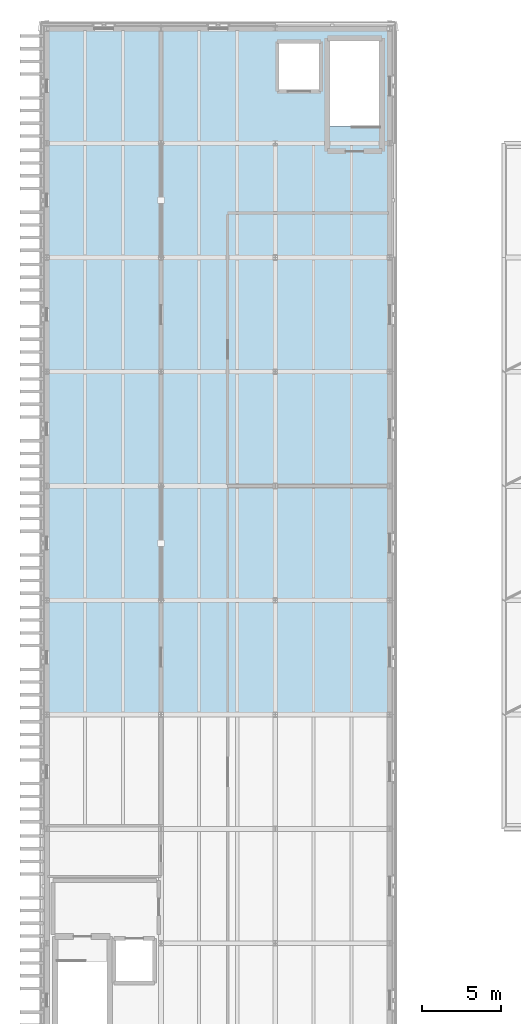
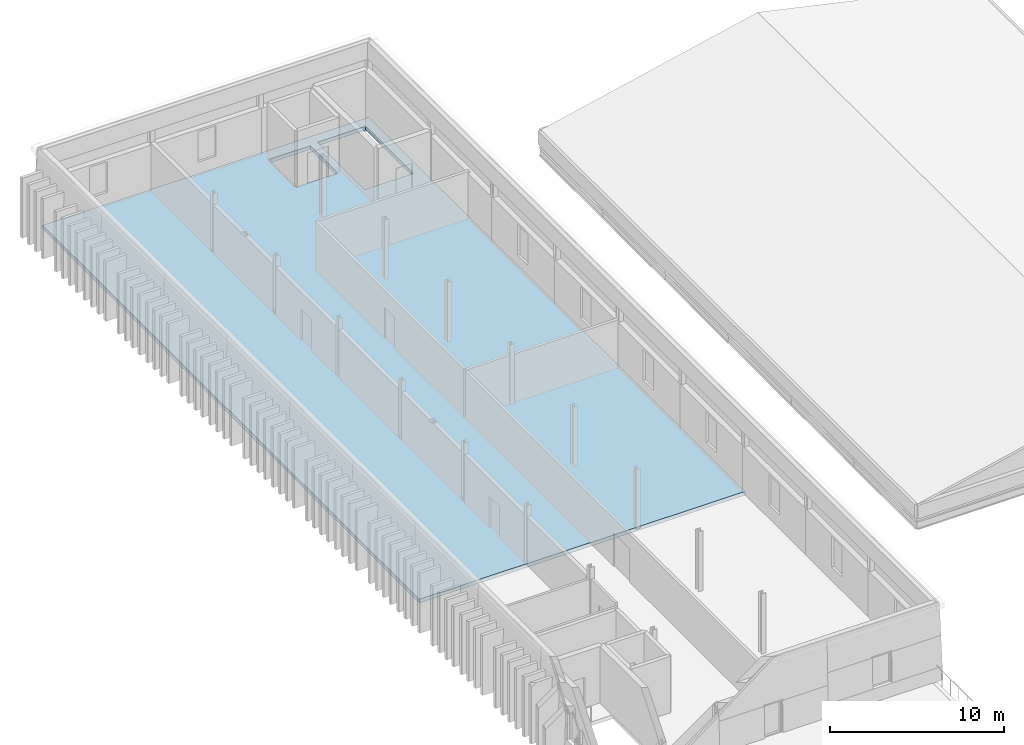
# One storey, part 17 of 44: 1 slab.
"""IFC4 building model written with IfcOpenShell, lengths in metres."""

import ifcopenshell
import ifcopenshell.guid

model = None  # the IFC model being written
_history = None  # IfcOwnerHistory: only IFC2X3 demands one
_inside = {}  # id of a spatial element -> (the spatial element, [elements in it])
_under = {}  # id of a project, library or spatial element -> (it, [spatial elements below it])
_declared = {}  # id of a project -> (the project, [libraries it declares])
_typed = {}  # id of a type object -> (the type object, [elements of that type])
_made_of = {}  # id of a material, layer set ... -> (it, [elements and type objects made of it])


def new_model(schema):
    """Start an empty IFC model of exactly this schema.

    Asked for "IFC4X3", IfcOpenShell would pick the latest addendum, in which some entities
    have other attributes; the version numbers below select the first issue.
    IFC2X3 requires an IfcOwnerHistory on every rooted entity: one is made here for all.
    """
    global model, _history
    if schema == "IFC4X3":
        model = ifcopenshell.file(schema_version=(4, 3, 0, 0))
    else:
        model = ifcopenshell.file(schema=schema)
    _inside.clear()
    _under.clear()
    _declared.clear()
    _typed.clear()
    _made_of.clear()
    _history = None
    if model.schema == "IFC2X3":
        org = make("IfcOrganization", Name="unknown")
        user = make(
            "IfcPersonAndOrganization",
            ThePerson=make("IfcPerson", FamilyName="unknown"),
            TheOrganization=org,
        )
        app = make(
            "IfcApplication",
            ApplicationDeveloper=org,
            Version="unknown",
            ApplicationFullName="unknown",
            ApplicationIdentifier="unknown",
        )
        _history = make(
            "IfcOwnerHistory",
            OwningUser=user,
            OwningApplication=app,
            ChangeAction="ADDED",
            CreationDate=0,
        )
    return model


def make(cls, **values):
    """One entity of the class cls with the attributes given. An attribute that is None is left unset."""
    return model.create_entity(
        cls, **{name: value for name, value in values.items() if value is not None}
    )


def rooted(cls, **values):
    """An entity with a GlobalId (a new one), such as an element, a storey or a relation."""
    return make(cls, GlobalId=ifcopenshell.guid.new(), OwnerHistory=_history, **values)


def si_unit(unit_type, name, prefix=None):
    """IfcSIUnit, for example si_unit("LENGTHUNIT", "METRE", prefix="MILLI")."""
    return make("IfcSIUnit", UnitType=unit_type, Prefix=prefix, Name=name)


def assignment(units):
    """IfcUnitAssignment: the units of a project."""
    return None if units is None else make("IfcUnitAssignment", Units=units)


def point(xyz):
    """IfcCartesianPoint."""
    return None if xyz is None else make("IfcCartesianPoint", Coordinates=xyz)


def direction(xyz):
    """IfcDirection."""
    return None if xyz is None else make("IfcDirection", DirectionRatios=xyz)


def frame(location, z_axis=None, x_axis=None):
    """IfcAxis2Placement3D, a coordinate frame: its origin and axes. An axis left out is left unset."""
    return make(
        "IfcAxis2Placement3D",
        Location=point(location),
        Axis=direction(z_axis),
        RefDirection=direction(x_axis),
    )


def origin():
    """The frame at (0, 0, 0) with its axes left unset."""
    return frame((0.0, 0.0, 0.0))


def place(relative_to, where):
    """IfcLocalPlacement: puts the frame where relative to a parent placement (None: the world)."""
    return make(
        "IfcLocalPlacement", PlacementRelTo=relative_to, RelativePlacement=where
    )


def context(
    kind, dimensions, precision=None, world=None, true_north=None, identifier=None
):
    """IfcGeometricRepresentationContext, for example the 3D "Model" context."""
    return make(
        "IfcGeometricRepresentationContext",
        ContextIdentifier=identifier,
        ContextType=kind,
        CoordinateSpaceDimension=dimensions,
        Precision=precision,
        WorldCoordinateSystem=world,
        TrueNorth=true_north,
    )


def subcontext(parent, identifier, kind, view, scale=None):
    """IfcGeometricRepresentationSubContext, for example "Body" below "Model"."""
    return make(
        "IfcGeometricRepresentationSubContext",
        ContextIdentifier=identifier,
        ContextType=kind,
        ParentContext=parent,
        TargetScale=scale,
        TargetView=view,
    )


def project(units=None, contexts=None):
    """IfcProject with its units and contexts."""
    return rooted(
        "IfcProject",
        Name="project",
        RepresentationContexts=contexts,
        UnitsInContext=assignment(units),
    )


def spatial(cls, under=None, at=None, **own):
    """A site, building, storey or space (cls), placed at a placement, below another one or the project."""
    s = rooted(cls, ObjectPlacement=at, **own)
    if under is not None:
        _under.setdefault(under.id(), (under, []))[1].append(s)
    return s


def polyline(points):
    """IfcPolyline through the points."""
    return make("IfcPolyline", Points=[point(p) for p in points])


def outline(outer, holes=None, kind="AREA"):
    """IfcArbitraryClosedProfileDef: a profile drawn as a closed curve; with holes, ...WithVoids."""
    if holes is None:
        return make("IfcArbitraryClosedProfileDef", ProfileType=kind, OuterCurve=outer)
    return make(
        "IfcArbitraryProfileDefWithVoids",
        ProfileType=kind,
        OuterCurve=outer,
        InnerCurves=holes,
    )


def extrude(swept, where, along, depth):
    """IfcExtrudedAreaSolid: the profile swept, set in the frame where, extruded along a direction by depth."""
    return make(
        "IfcExtrudedAreaSolid",
        SweptArea=swept,
        Position=where,
        ExtrudedDirection=direction(along),
        Depth=depth,
    )


def shape(context_of_items, identifier, shape_type, items):
    """IfcShapeRepresentation: the items that make up one representation, for example the "Body"."""
    return make(
        "IfcShapeRepresentation",
        ContextOfItems=context_of_items,
        RepresentationIdentifier=identifier,
        RepresentationType=shape_type,
        Items=items,
    )


def material(Name=None, Category=None):
    """IfcMaterial."""
    return make("IfcMaterial", Name=Name, Category=Category)


def layer(
    of_material, thickness, ventilated=None, Name=None, Category=None, Priority=None
):
    """IfcMaterialLayer: one layer of a wall or slab, of a material (None: an air gap)."""
    return make(
        "IfcMaterialLayer",
        Material=of_material,
        LayerThickness=thickness,
        IsVentilated=ventilated,
        Name=Name,
        Category=Category,
        Priority=Priority,
    )


def layer_set(layers, Name=None):
    """IfcMaterialLayerSet."""
    return make("IfcMaterialLayerSet", MaterialLayers=layers, LayerSetName=Name)


def made_of(thing, what):
    """Note that an element or type object is made of a material, layer set ...; save() writes the relation."""
    if what is not None:
        _made_of.setdefault(what.id(), (what, []))[1].append(thing)
    return thing


def type_object(cls, material=None, **own):
    """A type object (cls), such as IfcWallType, which elements share."""
    return made_of(rooted(cls, **own), material)


def element(
    cls,
    number,
    at=None,
    inside=None,
    cuts=None,
    type_object=None,
    material=None,
    context=None,
    identifier="Body",
    shape_type=None,
    held_by="IfcProductDefinitionShape",
    body=None,
    shapes=None,
    **own,
):
    """One element of the class cls, such as IfcWall. Its Tag is "e" and its number.

    at: its placement. inside: the storey or other place that contains it. cuts: it is an
    opening in that element (IfcRelVoidsElement). A single representation is given by context,
    identifier, shape_type and body (its items); several are given by shapes. held_by: the class
    of the entity that holds the representations. save() writes the other relations.
    """
    e = rooted(cls, Tag="e%d" % number, ObjectPlacement=at, **own)
    if body is not None:
        shapes = [shape(context, identifier, shape_type, body)]
    if shapes is not None:
        e.Representation = make(held_by, Representations=shapes)
    if inside is not None:
        _inside.setdefault(inside.id(), (inside, []))[1].append(e)
    if cuts is not None:
        rooted(
            "IfcRelVoidsElement", RelatingBuildingElement=cuts, RelatedOpeningElement=e
        )
    if type_object is not None:
        _typed.setdefault(type_object.id(), (type_object, []))[1].append(e)
    return made_of(e, material)


def aggregate(whole, parts):
    """IfcRelAggregates: a whole, such as a stair, and the parts it consists of."""
    return rooted("IfcRelAggregates", RelatingObject=whole, RelatedObjects=parts)


def save(model, path):
    """Write the relations noted so far, then the file.

    IfcRelAggregates (storeys below a building ...), IfcRelContainedInSpatialStructure (elements
    in a storey), IfcRelDefinesByType, IfcRelAssociatesMaterial and IfcRelDeclares: one each for
    every whole, place, type object, material and project.
    """
    for whole, parts in _under.values():
        aggregate(whole, parts)
    for where, things in _inside.values():
        rooted(
            "IfcRelContainedInSpatialStructure",
            RelatedElements=things,
            RelatingStructure=where,
        )
    for kind, things in _typed.values():
        rooted("IfcRelDefinesByType", RelatedObjects=things, RelatingType=kind)
    for what, things in _made_of.values():
        rooted("IfcRelAssociatesMaterial", RelatedObjects=things, RelatingMaterial=what)
    for by, libraries in _declared.values():
        rooted("IfcRelDeclares", RelatingContext=by, RelatedDefinitions=libraries)
    model.write(path)


model = new_model("IFC4")

# Units and contexts
model_context = context("Model", 3, precision=1e-05, world=origin(), true_north=direction((0.0, 1.0)))
body_context = subcontext(model_context, "Body", "Model", "MODEL_VIEW")
ifc_project = project(units=[si_unit("LENGTHUNIT", "METRE"), si_unit("AREAUNIT", "SQUARE_METRE"), si_unit("VOLUMEUNIT", "CUBIC_METRE"), si_unit("PLANEANGLEUNIT", "RADIAN"), si_unit("MASSUNIT", "GRAM", prefix="KILO")], contexts=[model_context])

# Site, building, storey
site_placement = place(None, origin())
site = spatial("IfcSite", under=ifc_project, at=site_placement, CompositionType="ELEMENT")
building_placement = place(site_placement, origin())
building = spatial("IfcBuilding", under=site, at=building_placement, Name="Narikvali Park Central Library", CompositionType="ELEMENT")
storey_placement = place(building_placement, frame((0.0, 0.0, 22.800048828125)))
storey = spatial("IfcBuildingStorey", under=building, at=storey_placement, Name="L05", CompositionType="ELEMENT", Elevation=22.800048828125)

# Slab
ifc_material = material(Name="Concrete C35/45", Category="concrete")
ifc_layer = layer(ifc_material, 0.260009765625, Name="Concrete C35/45")
ifc_layer_set = layer_set([ifc_layer], Name="Concrete C35/45")
slab_type = type_object("IfcSlabType", Name="Upper Composite Floor Slab 260", PredefinedType="FLOOR", material=ifc_layer_set)
slab_placement = place(storey_placement, frame((0.0, 0.0, -0.260009765625)))
element("IfcSlab", 1, at=slab_placement, inside=storey, type_object=slab_type, Name="V5 L05 Structural Slab Panel 2", PredefinedType="FLOOR", context=body_context, shape_type="SweptSolid", body=[
    extrude(outline(polyline([(0.0, 64.800048828125), (21.60009765625, 64.800048828125), (21.60009765625, 108.0), (0.0, 108.0), (0.0, 64.800048828125)]), holes=[polyline([(17.800048828125, 101.85009765625), (21.0, 101.85009765625), (21.0, 107.300048828125), (17.800048828125, 107.300048828125), (17.800048828125, 101.85009765625)]), polyline([(14.52001953125, 104.050048828125), (17.27001953125, 104.050048828125), (17.27001953125, 107.199951171875), (14.52001953125, 107.199951171875), (14.52001953125, 104.050048828125)])]), origin(), (0.0, 0.0, 1.0), 0.260009765625),
])

save(model, "model.ifc")
